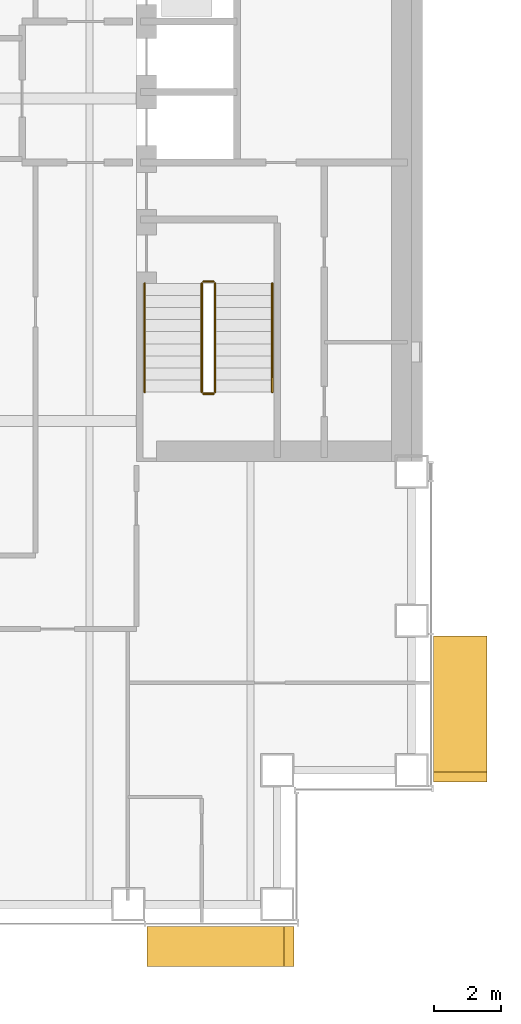
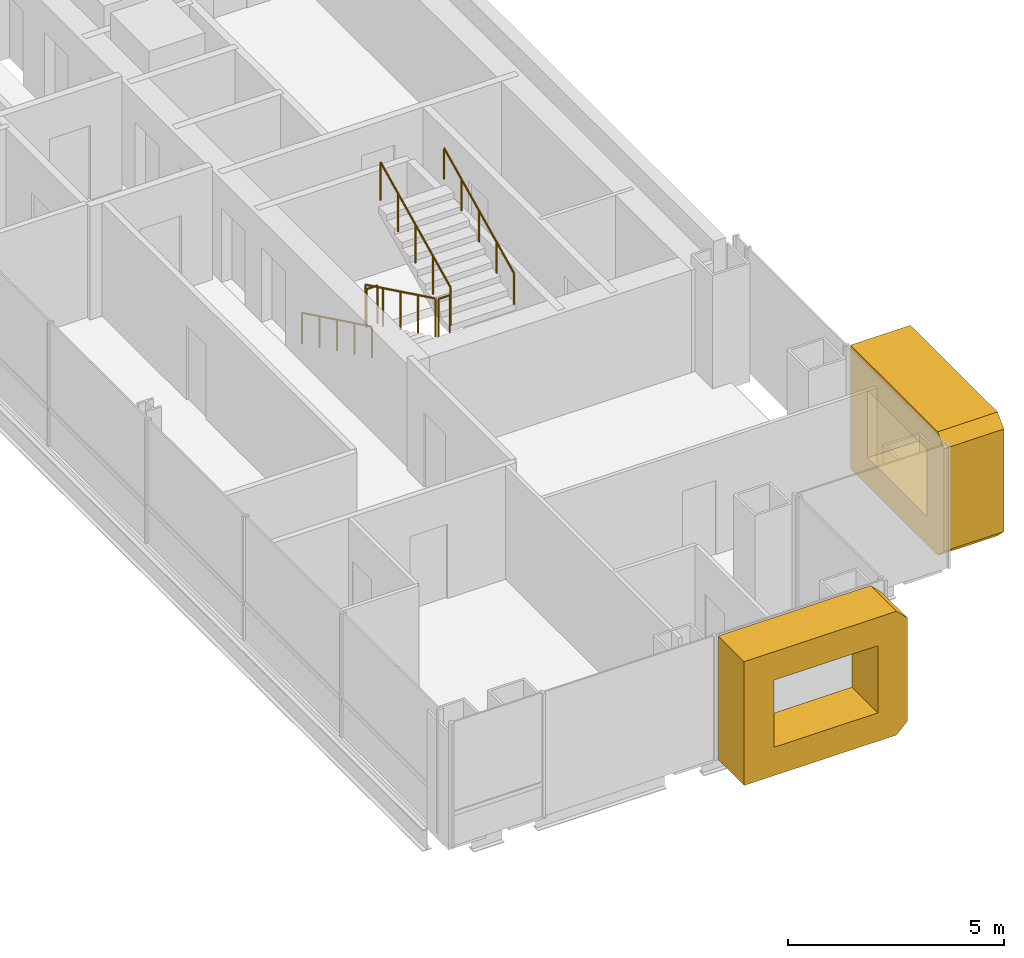
# One storey, part 19 of 21: 6 railings, 2 coverings.
"""IFC4 building model written with IfcOpenShell, lengths in metres."""

from ifc_helpers import new_model, si_unit, direction, frame, origin, origin_2d, place, context, subcontext, project, spatial, polyline, circle, outline, extrude, material, type_object, element, save


model = new_model("IFC4")

# Units and contexts
model_context = context("Model", 3, precision=1e-05, world=origin(), true_north=direction((0.0, 1.0)))
body_context = subcontext(model_context, "Body", "Model", "MODEL_VIEW")
ifc_project = project(units=[si_unit("LENGTHUNIT", "METRE"), si_unit("AREAUNIT", "SQUARE_METRE"), si_unit("VOLUMEUNIT", "CUBIC_METRE"), si_unit("PLANEANGLEUNIT", "RADIAN"), si_unit("MASSUNIT", "GRAM", prefix="KILO")], contexts=[model_context])

# Site, building, storey
site_placement = place(None, origin())
site = spatial("IfcSite", under=ifc_project, at=site_placement, CompositionType="ELEMENT")
building_placement = place(site_placement, origin())
building = spatial("IfcBuilding", under=site, at=building_placement, Name="Cobrizo Arcos Hotel Tower", CompositionType="ELEMENT")
storey_placement = place(building_placement, frame((0.0, 0.0, 81.0)))
storey = spatial("IfcBuildingStorey", under=building, at=storey_placement, Name="L19", CompositionType="ELEMENT", Elevation=81.0)

# Coverings
ifc_material_1 = material(Name="Aluminium 6063-T6 anodised bronze", Category="aluminium")
covering_type_1 = type_object("IfcCoveringType", Name="FIN-F 1200", PredefinedType="CLADDING", material=ifc_material_1)
covering_1_placement = place(storey_placement, frame((16.125, -24.64990234375, 0.0), z_axis=(0.0, -1.0, 0.0), x_axis=(1.0, 0.0, 0.0)))
element("IfcCovering", 1, at=covering_1_placement, inside=storey, type_object=covering_type_1, Name="Fin frame 62", PredefinedType="CLADDING", context=body_context, shape_type="SweptSolid", body=[
    extrude(outline(polyline([(0.0, 3.5), (0.0, 0.0), (4.074951171875, 0.0), (4.375, 0.300048828125), (4.375, 3.199951171875), (4.074951171875, 3.5), (0.0, 3.5)]), holes=[polyline([(3.574951171875, 0.800048828125), (0.800048828125, 0.800048828125), (0.800048828125, 2.699951171875), (3.574951171875, 2.699951171875), (3.574951171875, 0.800048828125)])]), origin(), (0.0, 0.0, 1.0), 1.2001953125),
])
covering_type_2 = type_object("IfcCoveringType", Name="FIN-F 1600", PredefinedType="CLADDING", material=ifc_material_1)
covering_2_placement = place(storey_placement, frame((24.64990234375, -20.35009765625, 0.0), z_axis=(1.0, 0.0, 0.0), x_axis=(0.0, 1.0, 0.0)))
element("IfcCovering", 2, at=covering_2_placement, inside=storey, type_object=covering_type_2, Name="Fin frame 41", PredefinedType="CLADDING", context=body_context, shape_type="SweptSolid", body=[
    extrude(outline(polyline([(0.0, 0.300048828125), (0.300048828125, 0.0), (4.341796875, 0.0), (4.341796875, 3.5), (0.300048828125, 3.5), (0.0, 3.199951171875), (0.0, 0.300048828125)]), holes=[polyline([(3.541748046875, 0.800048828125), (0.800048828125, 0.800048828125), (0.800048828125, 2.699951171875), (3.541748046875, 2.699951171875), (3.541748046875, 0.800048828125)])]), origin(), (0.0, 0.0, 1.0), 1.60009765625),
])

# Railings
ifc_material_2 = material(Name="Stainless steel railing", Category="steel")
railing_type_1 = type_object("IfcRailingType", Name="Stair guard 1100", PredefinedType="GUARDRAIL", material=ifc_material_2)
railing_1_placement = place(storey_placement, frame((17.75, -5.5, 0.175048828125)))
element("IfcRailing", 3, at=railing_1_placement, inside=storey, type_object=railing_type_1, Name="L19 ST-E stair guard 1", PredefinedType="GUARDRAIL", context=body_context, shape_type="SweptSolid", body=[
    extrude(circle(Radius=0.02392578125, at=origin_2d()), frame((0.0, 0.0, 1.076171875), z_axis=(0.0, -0.899372665325, 0.437182809435), x_axis=(1.0, 0.0, 0.0)), (0.0, 0.0, 1.0), 3.6025390625),
    extrude(circle(Radius=0.02099609375, at=origin_2d()), origin(), (0.0, 0.0, 1.0), 1.052001953125),
    extrude(circle(Radius=0.02099609375, at=origin_2d()), frame((0.0, -0.81005859375, 0.393798828125)), (0.0, 0.0, 1.0), 1.052001953125),
    extrude(circle(Radius=0.02099609375, at=origin_2d()), frame((0.0, -1.6201171875, 0.78759765625)), (0.0, 0.0, 1.0), 1.052001953125),
    extrude(circle(Radius=0.02099609375, at=origin_2d()), frame((0.0, -2.429931640625, 1.18115234375)), (0.0, 0.0, 1.0), 1.052001953125),
    extrude(circle(Radius=0.02099609375, at=origin_2d()), frame((0.0, -3.239990234375, 1.574951171875)), (0.0, 0.0, 1.0), 1.052001953125),
])
railing_2_placement = place(storey_placement, frame((17.800048828125, -8.7900390625, 1.75)))
element("IfcRailing", 4, at=railing_2_placement, inside=storey, type_object=railing_type_1, Name="L19 ST-E stair guard 2", PredefinedType="GUARDRAIL", context=body_context, shape_type="SweptSolid", body=[
    extrude(circle(Radius=0.02392578125, at=origin_2d()), frame((0.0, 0.0, 1.076171875), z_axis=(1.0, 0.0, 0.0), x_axis=(0.0, 1.0, 0.0)), (0.0, 0.0, 1.0), 0.300048828125),
    extrude(circle(Radius=0.02099609375, at=origin_2d()), origin(), (0.0, 0.0, 1.0), 1.052001953125),
    extrude(circle(Radius=0.02099609375, at=origin_2d()), frame((0.300048828125, 0.0, 0.0)), (0.0, 0.0, 1.0), 1.052001953125),
])
railing_3_placement = place(storey_placement, frame((18.14990234375, -8.739990234375, 1.925048828125)))
element("IfcRailing", 5, at=railing_3_placement, inside=storey, type_object=railing_type_1, Name="L19 ST-E stair guard 3", PredefinedType="GUARDRAIL", context=body_context, shape_type="SweptSolid", body=[
    extrude(circle(Radius=0.02392578125, at=origin_2d()), frame((0.0, 0.0, 1.076171875), z_axis=(0.0, 0.899372665325, 0.437182809435), x_axis=(-1.0, 0.0, 0.0)), (0.0, 0.0, 1.0), 3.6025390625),
    extrude(circle(Radius=0.02099609375, at=origin_2d()), origin(), (0.0, 0.0, 1.0), 1.052001953125),
    extrude(circle(Radius=0.02099609375, at=origin_2d()), frame((0.0, 0.81005859375, 0.393798828125)), (0.0, 0.0, 1.0), 1.052001953125),
    extrude(circle(Radius=0.02099609375, at=origin_2d()), frame((0.0, 1.6201171875, 0.78759765625)), (0.0, 0.0, 1.0), 1.052001953125),
    extrude(circle(Radius=0.02099609375, at=origin_2d()), frame((0.0, 2.429931640625, 1.18115234375)), (0.0, 0.0, 1.0), 1.052001953125),
    extrude(circle(Radius=0.02099609375, at=origin_2d()), frame((0.0, 3.239990234375, 1.574951171875)), (0.0, 0.0, 1.0), 1.052001953125),
])
railing_4_placement = place(storey_placement, frame((17.800048828125, -5.449951171875, 0.0)))
element("IfcRailing", 6, at=railing_4_placement, inside=storey, type_object=railing_type_1, Name="L19 ST-E stair guard 4", PredefinedType="GUARDRAIL", context=body_context, shape_type="SweptSolid", body=[
    extrude(circle(Radius=0.02392578125, at=origin_2d()), frame((0.0, 0.0, 1.076171875), z_axis=(1.0, 0.0, 0.0), x_axis=(0.0, 1.0, 0.0)), (0.0, 0.0, 1.0), 0.300048828125),
    extrude(circle(Radius=0.02099609375, at=origin_2d()), origin(), (0.0, 0.0, 1.0), 1.052001953125),
    extrude(circle(Radius=0.02099609375, at=origin_2d()), frame((0.300048828125, 0.0, 0.0)), (0.0, 0.0, 1.0), 1.052001953125),
])
railing_type_2 = type_object("IfcRailingType", Name="Stair handrail", PredefinedType="HANDRAIL", material=ifc_material_2)
railing_5_placement = place(storey_placement, frame((16.050048828125, -5.5, 0.175048828125)))
element("IfcRailing", 7, at=railing_5_placement, inside=storey, type_object=railing_type_2, Name="L19 ST-E stair handrail 1", PredefinedType="HANDRAIL", context=body_context, shape_type="SweptSolid", body=[
    extrude(circle(Radius=0.02392578125, at=origin_2d()), frame((0.0, 0.0, 0.8759765625), z_axis=(0.0, -0.899372665325, 0.437182809435), x_axis=(1.0, 0.0, 0.0)), (0.0, 0.0, 1.0), 3.6025390625),
    extrude(circle(Radius=0.02099609375, at=origin_2d()), origin(), (0.0, 0.0, 1.0), 0.851806640625),
    extrude(circle(Radius=0.02099609375, at=origin_2d()), frame((0.0, -0.81005859375, 0.393798828125)), (0.0, 0.0, 1.0), 0.851806640625),
    extrude(circle(Radius=0.02099609375, at=origin_2d()), frame((0.0, -1.6201171875, 0.78759765625)), (0.0, 0.0, 1.0), 0.851806640625),
    extrude(circle(Radius=0.02099609375, at=origin_2d()), frame((0.0, -2.429931640625, 1.18115234375)), (0.0, 0.0, 1.0), 0.851806640625),
    extrude(circle(Radius=0.02099609375, at=origin_2d()), frame((0.0, -3.239990234375, 1.574951171875)), (0.0, 0.0, 1.0), 0.851806640625),
])
railing_6_placement = place(storey_placement, frame((19.85009765625, -8.739990234375, 1.925048828125)))
element("IfcRailing", 8, at=railing_6_placement, inside=storey, type_object=railing_type_2, Name="L19 ST-E stair handrail 2", PredefinedType="HANDRAIL", context=body_context, shape_type="SweptSolid", body=[
    extrude(circle(Radius=0.02392578125, at=origin_2d()), frame((0.0, 0.0, 0.8759765625), z_axis=(0.0, 0.899372665325, 0.437182809435), x_axis=(-1.0, 0.0, 0.0)), (0.0, 0.0, 1.0), 3.6025390625),
    extrude(circle(Radius=0.02099609375, at=origin_2d()), origin(), (0.0, 0.0, 1.0), 0.851806640625),
    extrude(circle(Radius=0.02099609375, at=origin_2d()), frame((0.0, 0.81005859375, 0.393798828125)), (0.0, 0.0, 1.0), 0.851806640625),
    extrude(circle(Radius=0.02099609375, at=origin_2d()), frame((0.0, 1.6201171875, 0.78759765625)), (0.0, 0.0, 1.0), 0.851806640625),
    extrude(circle(Radius=0.02099609375, at=origin_2d()), frame((0.0, 2.429931640625, 1.18115234375)), (0.0, 0.0, 1.0), 0.851806640625),
    extrude(circle(Radius=0.02099609375, at=origin_2d()), frame((0.0, 3.239990234375, 1.574951171875)), (0.0, 0.0, 1.0), 0.851806640625),
])

save(model, "model.ifc")
